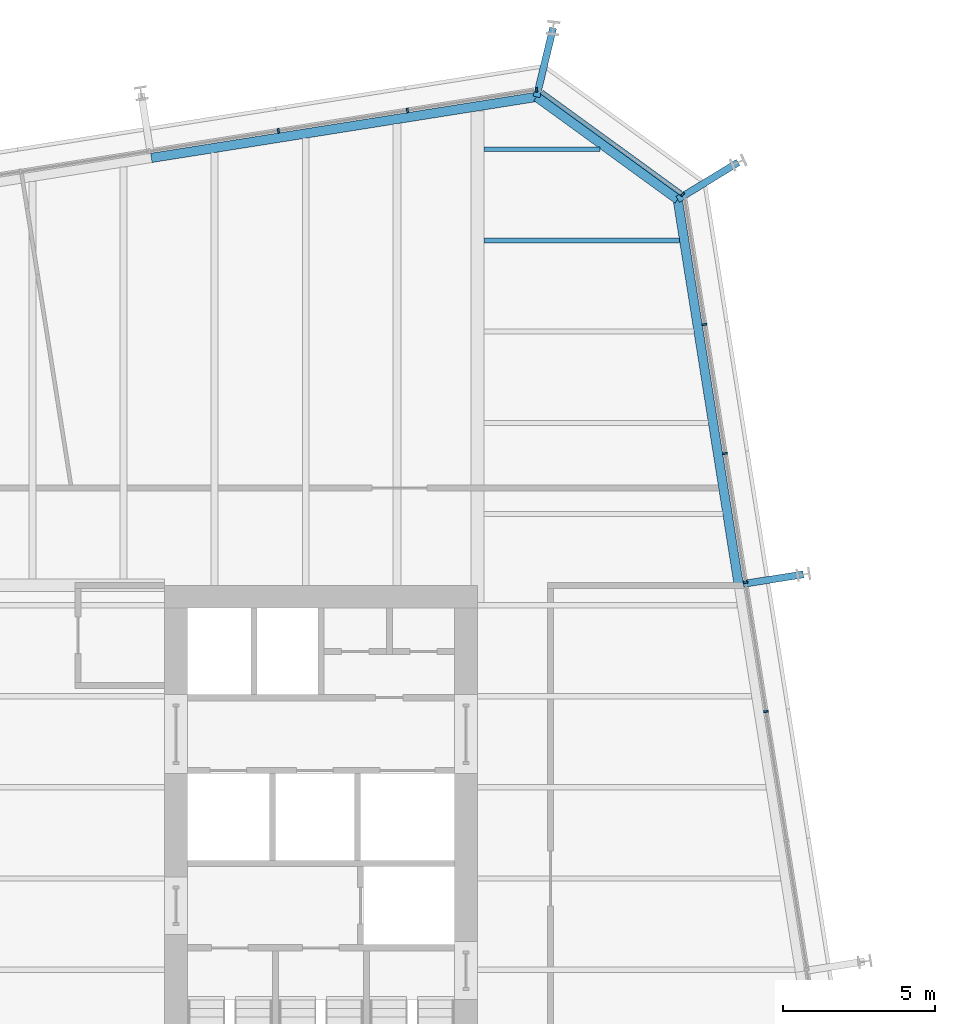
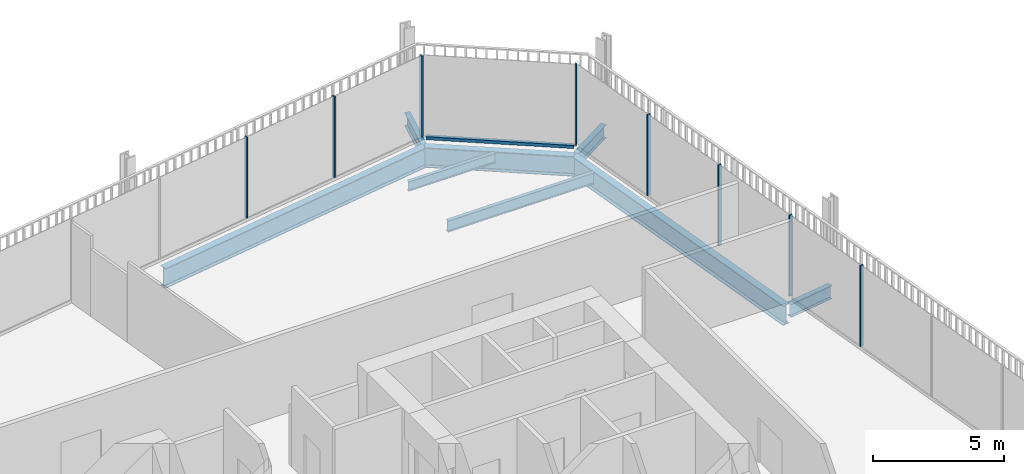
# One storey, part 15 of 21: 9 members, 8 beams, 3 elements without a shape of their own.
"""IFC4 building model written with IfcOpenShell, lengths in metres."""

from ifc_helpers import new_model, si_unit, direction, frame, origin, origin_2d, place, context, subcontext, project, spatial, rectangle, i_section, extrude, material, layer, layer_set, material_profile, profile_set, type_object, element, aggregate, save


model = new_model("IFC4")

# Units and contexts
model_context = context("Model", 3, precision=1e-05, world=origin(), true_north=direction((0.0, 1.0)))
body_context = subcontext(model_context, "Body", "Model", "MODEL_VIEW")
ifc_project = project(units=[si_unit("LENGTHUNIT", "METRE"), si_unit("AREAUNIT", "SQUARE_METRE"), si_unit("VOLUMEUNIT", "CUBIC_METRE"), si_unit("PLANEANGLEUNIT", "RADIAN"), si_unit("MASSUNIT", "GRAM", prefix="KILO")], contexts=[model_context])

# Site, building, storey
site_placement = place(None, origin())
site = spatial("IfcSite", under=ifc_project, at=site_placement, CompositionType="ELEMENT")
building_placement = place(site_placement, origin())
building = spatial("IfcBuilding", under=site, at=building_placement, Name="Millrace Tower", CompositionType="ELEMENT")
storey_placement = place(building_placement, frame((0.0, 0.0, 164.60009765625)))
storey = spatial("IfcBuildingStorey", under=building, at=storey_placement, Name="L37", CompositionType="ELEMENT", Elevation=164.60009765625)

# Curtain wall, members
ifc_material_1 = material(Name="Aluminium and glass", Category="aluminium")
ifc_layer = layer(ifc_material_1, 0.14990234375)
ifc_layer_set = layer_set([ifc_layer], Name="Aluminium and glass")
curtain_wall_type = type_object("IfcCurtainWallType", Name="CW-1 office vision curtain wall", PredefinedType="NOTDEFINED", material=ifc_layer_set)
placement = place(storey_placement, origin())
curtain_wall_1 = element("IfcCurtainWall", 1, at=placement, inside=storey, type_object=curtain_wall_type, Name="Curtain wall C-F04 L37", PredefinedType="NOTDEFINED")
ifc_material_2 = material(Name="Aluminium", Category="aluminium")
ifc_material_profile_1 = material_profile(ifc_material_2, rectangle(XDim=0.06494140625, YDim=0.14990234375, at=origin_2d()))
ifc_profile_set_1 = profile_set([ifc_material_profile_1], Name="Aluminium")
member_type_1 = type_object("IfcMemberType", Name="CW-1 office vision curtain wall mullion", PredefinedType="MULLION", material=ifc_profile_set_1)
member_1_placement = place(storey_placement, frame((24.143310546875, 5.49365234375, 0.139892578125), z_axis=(0.0, 0.0, 1.0), x_axis=(-0.15643447328, 0.98768833929, 0.0)))
member_1 = element("IfcMember", 2, at=member_1_placement, type_object=member_type_1, Name="CW1 mullion C-F04.6", PredefinedType="MULLION", context=body_context, shape_type="SweptSolid", body=[
    extrude(rectangle(XDim=0.06494140625, YDim=0.14990234375, at=origin_2d()), origin(), (0.0, 0.0, 1.0), 3.760009765625),
])
member_2_placement = place(storey_placement, frame((23.470703125, 9.74072265625, 0.139892578125), z_axis=(0.0, 0.0, 1.0), x_axis=(-0.15643447328, 0.98768833929, 0.0)))
member_2 = element("IfcMember", 3, at=member_2_placement, type_object=member_type_1, Name="CW1 mullion C-F04.7", PredefinedType="MULLION", context=body_context, shape_type="SweptSolid", body=[
    extrude(rectangle(XDim=0.06494140625, YDim=0.14990234375, at=origin_2d()), origin(), (0.0, 0.0, 1.0), 3.760009765625),
])
member_3_placement = place(storey_placement, frame((22.798095703125, 13.98779296875, 0.139892578125), z_axis=(0.0, 0.0, 1.0), x_axis=(-0.15643447328, 0.98768833929, 0.0)))
member_3 = element("IfcMember", 4, at=member_3_placement, type_object=member_type_1, Name="CW1 mullion C-F04.8", PredefinedType="MULLION", context=body_context, shape_type="SweptSolid", body=[
    extrude(rectangle(XDim=0.06494140625, YDim=0.14990234375, at=origin_2d()), origin(), (0.0, 0.0, 1.0), 3.760009765625),
])
member_4_placement = place(storey_placement, frame((22.125244140625, 18.23486328125, 0.139892578125), z_axis=(0.0, 0.0, 1.0), x_axis=(-0.15643447328, 0.98768833929, 0.0)))
member_4 = element("IfcMember", 5, at=member_4_placement, type_object=member_type_1, Name="CW1 mullion C-F04.9", PredefinedType="MULLION", context=body_context, shape_type="SweptSolid", body=[
    extrude(rectangle(XDim=0.06494140625, YDim=0.14990234375, at=origin_2d()), origin(), (0.0, 0.0, 1.0), 3.760009765625),
])
aggregate(curtain_wall_1, [member_1, member_2, member_3, member_4])

# Curtain wall, member
curtain_wall_2 = element("IfcCurtainWall", 6, at=placement, inside=storey, type_object=curtain_wall_type, Name="Curtain wall C-F05 L37", PredefinedType="NOTDEFINED")
member_5_placement = place(storey_placement, frame((21.4013671875, 22.517822265625, 0.139892578125), z_axis=(0.0, 0.0, 1.0), x_axis=(-0.809016981623, 0.587785269844, 0.0)))
member_5 = element("IfcMember", 7, at=member_5_placement, type_object=member_type_1, Name="CW1 mullion C-F05.1", PredefinedType="MULLION", context=body_context, shape_type="SweptSolid", body=[
    extrude(rectangle(XDim=0.06494140625, YDim=0.14990234375, at=origin_2d()), origin(), (0.0, 0.0, 1.0), 3.760009765625),
])

# Curtain wall, members
curtain_wall_3 = element("IfcCurtainWall", 8, at=placement, inside=storey, type_object=curtain_wall_type, Name="Curtain wall C-F06 L37", PredefinedType="NOTDEFINED")
member_6_placement = place(storey_placement, frame((16.591796875, 25.956787109375, 0.139892578125), z_axis=(0.0, 0.0, 1.0), x_axis=(-0.98768833929, -0.15643447328, 0.0)))
member_6 = element("IfcMember", 9, at=member_6_placement, type_object=member_type_1, Name="CW1 mullion C-F06.1", PredefinedType="MULLION", context=body_context, shape_type="SweptSolid", body=[
    extrude(rectangle(XDim=0.06494140625, YDim=0.14990234375, at=origin_2d()), origin(), (0.0, 0.0, 1.0), 3.760009765625),
])
member_7_placement = place(storey_placement, frame((12.3447265625, 25.283935546875, 0.139892578125), z_axis=(0.0, 0.0, 1.0), x_axis=(-0.98768833929, -0.15643447328, 0.0)))
member_7 = element("IfcMember", 10, at=member_7_placement, type_object=member_type_1, Name="CW1 mullion C-F06.2", PredefinedType="MULLION", context=body_context, shape_type="SweptSolid", body=[
    extrude(rectangle(XDim=0.06494140625, YDim=0.14990234375, at=origin_2d()), origin(), (0.0, 0.0, 1.0), 3.760009765625),
])
member_8_placement = place(storey_placement, frame((8.09765625, 24.611328125, 0.139892578125), z_axis=(0.0, 0.0, 1.0), x_axis=(-0.98768833929, -0.15643447328, 0.0)))
member_8 = element("IfcMember", 11, at=member_8_placement, type_object=member_type_1, Name="CW1 mullion C-F06.3", PredefinedType="MULLION", context=body_context, shape_type="SweptSolid", body=[
    extrude(rectangle(XDim=0.06494140625, YDim=0.14990234375, at=origin_2d()), origin(), (0.0, 0.0, 1.0), 3.760009765625),
])
aggregate(curtain_wall_3, [member_6, member_7, member_8])

# Member
ifc_material_3 = material(Name="Aluminium", Category="aluminium")
ifc_material_profile_2 = material_profile(ifc_material_3, rectangle(XDim=0.14990234375, YDim=0.139892578125, at=origin_2d()))
ifc_profile_set_2 = profile_set([ifc_material_profile_2], Name="Aluminium")
member_type_2 = type_object("IfcMemberType", Name="CW-1 office vision curtain wall transom", PredefinedType="USERDEFINED", material=ifc_profile_set_2)
member_9_placement = place(storey_placement, frame((21.346923828125, 22.557373046875, 0.06982421875), z_axis=(-0.809013470651, 0.587790102252, 0.0), x_axis=(-0.587790102252, -0.809013470651, 0.0)))
member_9 = element("IfcMember", 12, at=member_9_placement, type_object=member_type_2, Name="CW1 transom C-F05.1", ObjectType="TRANSOM", PredefinedType="USERDEFINED", context=body_context, shape_type="SweptSolid", body=[
    extrude(rectangle(XDim=0.14990234375, YDim=0.139892578125, at=origin_2d()), origin(), (0.0, 0.0, 1.0), 5.669189453125),
])

aggregate(curtain_wall_2, [member_5, member_9])

# Beams
ifc_material_4 = material(Name="Steel ASTM A992 Grade 50", Category="steel")
ifc_material_profile_3 = material_profile(ifc_material_4, i_section(OverallWidth=0.15234375, OverallDepth=0.449462890625, WebThickness=0.007568359375, FlangeThickness=0.0107421875, FilletRadius=0.01025390625, at=origin_2d()))
ifc_profile_set_3 = profile_set([ifc_material_profile_3], Name="Steel ASTM A992 Grade 50")
beam_type_1 = type_object("IfcBeamType", Name="Floor beam W18x35", PredefinedType="JOIST", material=ifc_profile_set_3)
beam_1_placement = place(storey_placement, frame((14.859619140625, 24.0, -0.384765625), z_axis=(1.0, 0.0, 0.0), x_axis=(0.0, 1.0, 0.0)))
element("IfcBeam", 13, at=beam_1_placement, inside=storey, type_object=beam_type_1, Name="BM-C-L37-S1-S038", PredefinedType="JOIST", context=body_context, shape_type="SweptSolid", body=[
    extrude(i_section(OverallWidth=0.15234375, OverallDepth=0.449462890625, WebThickness=0.007568359375, FlangeThickness=0.0107421875, FilletRadius=0.01025390625, at=origin_2d()), origin(), (0.0, 0.0, 1.0), 3.8232421875),
])
ifc_material_5 = material(Name="Steel ASTM A992 Grade 50", Category="steel")
ifc_material_profile_4 = material_profile(ifc_material_5, i_section(OverallWidth=0.1650390625, OverallDepth=0.52587890625, WebThickness=0.0087890625, FlangeThickness=0.011474609375, FilletRadius=0.0126953125, at=origin_2d()))
ifc_profile_set_4 = profile_set([ifc_material_profile_4], Name="Steel ASTM A992 Grade 50")
beam_type_2 = type_object("IfcBeamType", Name="Floor beam W21x44", PredefinedType="JOIST", material=ifc_profile_set_4)
beam_2_placement = place(storey_placement, frame((14.859619140625, 21.0, -0.423095703125), z_axis=(1.0, 0.0, 0.0), x_axis=(0.0, 1.0, 0.0)))
element("IfcBeam", 14, at=beam_2_placement, inside=storey, type_object=beam_type_2, Name="BM-C-L37-S1-S037", PredefinedType="JOIST", context=body_context, shape_type="SweptSolid", body=[
    extrude(i_section(OverallWidth=0.1650390625, OverallDepth=0.52587890625, WebThickness=0.0087890625, FlangeThickness=0.011474609375, FilletRadius=0.0126953125, at=origin_2d()), origin(), (0.0, 0.0, 1.0), 6.440673828125),
])
ifc_material_6 = material(Name="Steel ASTM A992 Grade 50", Category="steel")
ifc_material_profile_5 = material_profile(ifc_material_6, i_section(OverallWidth=0.23046875, OverallDepth=0.6171875, WebThickness=0.01318359375, FlangeThickness=0.022216796875, FilletRadius=0.012939453125, at=origin_2d()))
ifc_profile_set_5 = profile_set([ifc_material_profile_5], Name="Steel ASTM A992 Grade 50")
beam_type_3 = type_object("IfcBeamType", Name="Link beam W24x94", PredefinedType="BEAM", material=ifc_profile_set_5)
beam_3_placement = place(storey_placement, frame((16.5966796875, 25.725830078125, -0.46875), z_axis=(0.233432364948, 0.972373041068, 0.0), x_axis=(-0.972373041068, 0.233432364948, 0.0)))
element("IfcBeam", 15, at=beam_3_placement, inside=storey, type_object=beam_type_3, Name="LNK-C-L37-S1-08", PredefinedType="BEAM", context=body_context, shape_type="SweptSolid", body=[
    extrude(i_section(OverallWidth=0.23046875, OverallDepth=0.6171875, WebThickness=0.01318359375, FlangeThickness=0.022216796875, FilletRadius=0.012939453125, at=origin_2d()), origin(), (0.0, 0.0, 1.0), 2.331298828125),
])
beam_4_placement = place(storey_placement, frame((21.241943359375, 22.35107421875, -0.46875), z_axis=(0.852631355792, 0.522512938711, 0.0), x_axis=(-0.522512938711, 0.852631355792, 0.0)))
element("IfcBeam", 16, at=beam_4_placement, inside=storey, type_object=beam_type_3, Name="LNK-C-L37-S1-09", PredefinedType="BEAM", context=body_context, shape_type="SweptSolid", body=[
    extrude(i_section(OverallWidth=0.23046875, OverallDepth=0.6171875, WebThickness=0.01318359375, FlangeThickness=0.022216796875, FilletRadius=0.012939453125, at=origin_2d()), origin(), (0.0, 0.0, 1.0), 2.3310546875),
])
beam_5_placement = place(storey_placement, frame((23.401611328125, 9.69677734375, -0.46875), z_axis=(0.987678691416, 0.156495375404, 0.0), x_axis=(-0.156495375404, 0.987678691416, 0.0)))
element("IfcBeam", 17, at=beam_5_placement, inside=storey, type_object=beam_type_3, Name="LNK-C-L37-S1-10", PredefinedType="BEAM", context=body_context, shape_type="SweptSolid", body=[
    extrude(i_section(OverallWidth=0.23046875, OverallDepth=0.6171875, WebThickness=0.01318359375, FlangeThickness=0.022216796875, FilletRadius=0.012939453125, at=origin_2d()), origin(), (0.0, 0.0, 1.0), 2.0),
])
ifc_material_7 = material(Name="Steel ASTM A992 Grade 50", Category="steel")
ifc_material_profile_6 = material_profile(ifc_material_7, i_section(OverallWidth=0.307373046875, OverallDepth=0.927001953125, WebThickness=0.01953125, FlangeThickness=0.031982421875, FilletRadius=0.01904296875, at=origin_2d()))
ifc_profile_set_6 = profile_set([ifc_material_profile_6], Name="Steel ASTM A992 Grade 50")
beam_type_4 = type_object("IfcBeamType", Name="Ring beam medium span W36x194", PredefinedType="SPANDREL", material=ifc_profile_set_6)
for number, where, z_axis, x_axis, name in (
    (18, (3.91845703125, 23.718017578125, -0.62353515625), (0.987690996996, 0.156417692264, 0.0), (-0.156417692264, 0.987690996996, 0.0), "RNG-C-L37-S1-07"),
    (19, (21.241943359375, 22.35107421875, -0.62353515625), (0.156436246498, -0.987688058438, 0.0), (0.987688058438, 0.156436246498, 0.0), "RNG-C-L37-S1-09"),
):
    element("IfcBeam", number, at=place(storey_placement, frame(where, z_axis=z_axis, x_axis=x_axis)), inside=storey, type_object=beam_type_4, Name=name, PredefinedType="SPANDREL", context=body_context, shape_type="SweptSolid", body=[
        extrude(i_section(OverallWidth=0.307373046875, OverallDepth=0.927001953125, WebThickness=0.01953125, FlangeThickness=0.031982421875, FilletRadius=0.01904296875, at=origin_2d()), origin(), (0.0, 0.0, 1.0), 12.836181640625),
    ])
ifc_material_8 = material(Name="Steel ASTM A992 Grade 50", Category="steel")
ifc_material_profile_7 = material_profile(ifc_material_8, i_section(OverallWidth=0.307373046875, OverallDepth=0.927001953125, WebThickness=0.01953125, FlangeThickness=0.031982421875, FilletRadius=0.01904296875, at=origin_2d()))
ifc_profile_set_7 = profile_set([ifc_material_profile_7], Name="Steel ASTM A992 Grade 50")
beam_type_5 = type_object("IfcBeamType", Name="Ring beam short span W36x194", PredefinedType="SPANDREL", material=ifc_profile_set_7)
beam_6_placement = place(storey_placement, frame((16.5966796875, 25.725830078125, -0.62353515625), z_axis=(0.809035690681, -0.587759518174, 0.0), x_axis=(0.587759518174, 0.809035690681, 0.0)))
element("IfcBeam", 20, at=beam_6_placement, inside=storey, type_object=beam_type_5, Name="RNG-C-L37-S1-08", PredefinedType="SPANDREL", context=body_context, shape_type="SweptSolid", body=[
    extrude(i_section(OverallWidth=0.307373046875, OverallDepth=0.927001953125, WebThickness=0.01953125, FlangeThickness=0.031982421875, FilletRadius=0.01904296875, at=origin_2d()), origin(), (0.0, 0.0, 1.0), 5.74169921875),
])

save(model, "model.ifc")
